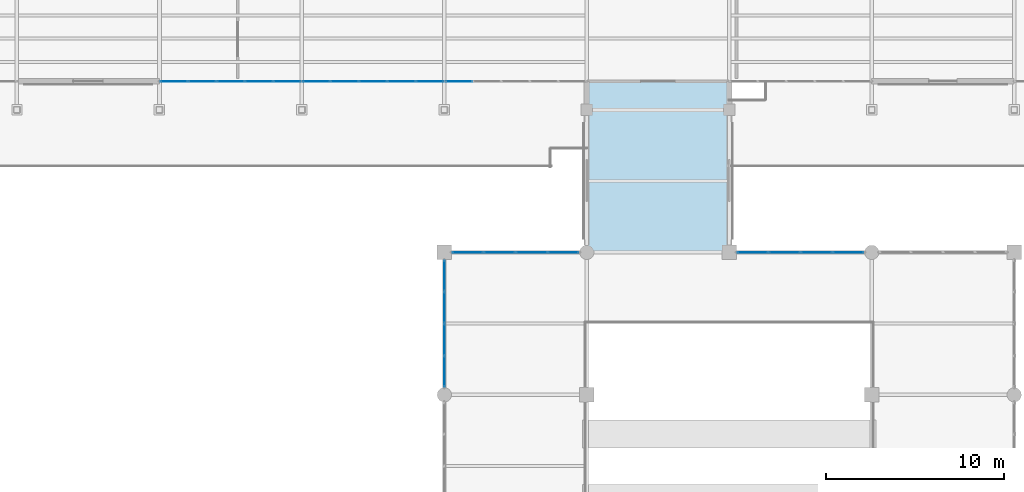
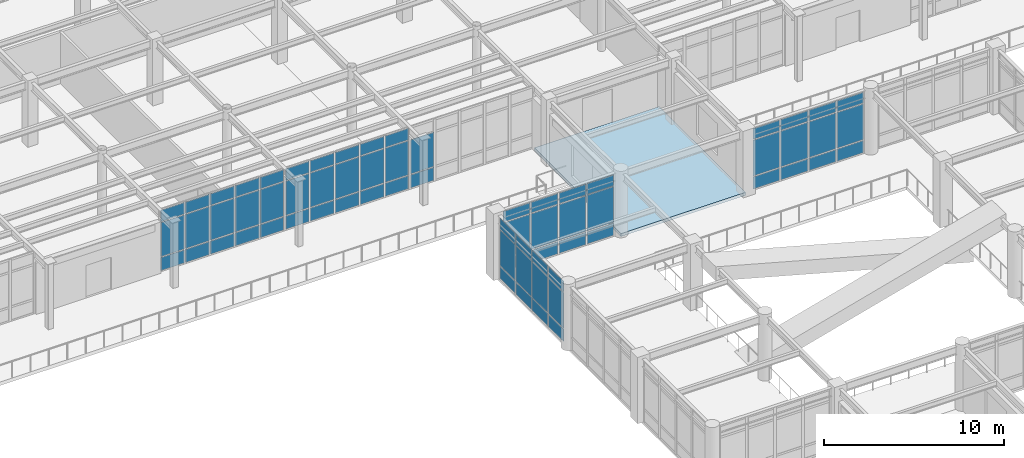
# One storey, part 77 of 111: 68 plates, 1 slab, 6 elements without a shape of their own.
"""IFC4 building model written with IfcOpenShell, lengths in metres."""

import ifcopenshell
import ifcopenshell.guid

model = None  # the IFC model being written
_history = None  # IfcOwnerHistory: only IFC2X3 demands one
_inside = {}  # id of a spatial element -> (the spatial element, [elements in it])
_under = {}  # id of a project, library or spatial element -> (it, [spatial elements below it])
_declared = {}  # id of a project -> (the project, [libraries it declares])
_typed = {}  # id of a type object -> (the type object, [elements of that type])
_made_of = {}  # id of a material, layer set ... -> (it, [elements and type objects made of it])


def new_model(schema):
    """Start an empty IFC model of exactly this schema.

    Asked for "IFC4X3", IfcOpenShell would pick the latest addendum, in which some entities
    have other attributes; the version numbers below select the first issue.
    IFC2X3 requires an IfcOwnerHistory on every rooted entity: one is made here for all.
    """
    global model, _history
    if schema == "IFC4X3":
        model = ifcopenshell.file(schema_version=(4, 3, 0, 0))
    else:
        model = ifcopenshell.file(schema=schema)
    _inside.clear()
    _under.clear()
    _declared.clear()
    _typed.clear()
    _made_of.clear()
    _history = None
    if model.schema == "IFC2X3":
        org = make("IfcOrganization", Name="unknown")
        user = make(
            "IfcPersonAndOrganization",
            ThePerson=make("IfcPerson", FamilyName="unknown"),
            TheOrganization=org,
        )
        app = make(
            "IfcApplication",
            ApplicationDeveloper=org,
            Version="unknown",
            ApplicationFullName="unknown",
            ApplicationIdentifier="unknown",
        )
        _history = make(
            "IfcOwnerHistory",
            OwningUser=user,
            OwningApplication=app,
            ChangeAction="ADDED",
            CreationDate=0,
        )
    return model


def make(cls, **values):
    """One entity of the class cls with the attributes given. An attribute that is None is left unset."""
    return model.create_entity(
        cls, **{name: value for name, value in values.items() if value is not None}
    )


def rooted(cls, **values):
    """An entity with a GlobalId (a new one), such as an element, a storey or a relation."""
    return make(cls, GlobalId=ifcopenshell.guid.new(), OwnerHistory=_history, **values)


def si_unit(unit_type, name, prefix=None):
    """IfcSIUnit, for example si_unit("LENGTHUNIT", "METRE", prefix="MILLI")."""
    return make("IfcSIUnit", UnitType=unit_type, Prefix=prefix, Name=name)


def assignment(units):
    """IfcUnitAssignment: the units of a project."""
    return None if units is None else make("IfcUnitAssignment", Units=units)


def point(xyz):
    """IfcCartesianPoint."""
    return None if xyz is None else make("IfcCartesianPoint", Coordinates=xyz)


def direction(xyz):
    """IfcDirection."""
    return None if xyz is None else make("IfcDirection", DirectionRatios=xyz)


def frame(location, z_axis=None, x_axis=None):
    """IfcAxis2Placement3D, a coordinate frame: its origin and axes. An axis left out is left unset."""
    return make(
        "IfcAxis2Placement3D",
        Location=point(location),
        Axis=direction(z_axis),
        RefDirection=direction(x_axis),
    )


def frame_2d(location, x_axis=None):
    """IfcAxis2Placement2D, a coordinate frame in the plane: its origin and x axis."""
    return make(
        "IfcAxis2Placement2D", Location=point(location), RefDirection=direction(x_axis)
    )


def origin():
    """The frame at (0, 0, 0) with its axes left unset."""
    return frame((0.0, 0.0, 0.0))


def origin_2d():
    """The frame at (0, 0) in the plane with its x axis left unset."""
    return frame_2d((0.0, 0.0))


def place(relative_to, where):
    """IfcLocalPlacement: puts the frame where relative to a parent placement (None: the world)."""
    return make(
        "IfcLocalPlacement", PlacementRelTo=relative_to, RelativePlacement=where
    )


def context(
    kind, dimensions, precision=None, world=None, true_north=None, identifier=None
):
    """IfcGeometricRepresentationContext, for example the 3D "Model" context."""
    return make(
        "IfcGeometricRepresentationContext",
        ContextIdentifier=identifier,
        ContextType=kind,
        CoordinateSpaceDimension=dimensions,
        Precision=precision,
        WorldCoordinateSystem=world,
        TrueNorth=true_north,
    )


def subcontext(parent, identifier, kind, view, scale=None):
    """IfcGeometricRepresentationSubContext, for example "Body" below "Model"."""
    return make(
        "IfcGeometricRepresentationSubContext",
        ContextIdentifier=identifier,
        ContextType=kind,
        ParentContext=parent,
        TargetScale=scale,
        TargetView=view,
    )


def project(units=None, contexts=None):
    """IfcProject with its units and contexts."""
    return rooted(
        "IfcProject",
        Name="project",
        RepresentationContexts=contexts,
        UnitsInContext=assignment(units),
    )


def spatial(cls, under=None, at=None, **own):
    """A site, building, storey or space (cls), placed at a placement, below another one or the project."""
    s = rooted(cls, ObjectPlacement=at, **own)
    if under is not None:
        _under.setdefault(under.id(), (under, []))[1].append(s)
    return s


def polyline(points):
    """IfcPolyline through the points."""
    return make("IfcPolyline", Points=[point(p) for p in points])


def profile(cls, at=None, kind="AREA", **sizes):
    """A parametric profile (cls). Its sizes go by their IFC names, for example OverallWidth=200.0."""
    return make(cls, ProfileType=kind, Position=at, **sizes)


def rectangle(**sizes):
    """IfcRectangleProfileDef."""
    return profile("IfcRectangleProfileDef", **sizes)


def outline(outer, holes=None, kind="AREA"):
    """IfcArbitraryClosedProfileDef: a profile drawn as a closed curve; with holes, ...WithVoids."""
    if holes is None:
        return make("IfcArbitraryClosedProfileDef", ProfileType=kind, OuterCurve=outer)
    return make(
        "IfcArbitraryProfileDefWithVoids",
        ProfileType=kind,
        OuterCurve=outer,
        InnerCurves=holes,
    )


def extrude(swept, where, along, depth):
    """IfcExtrudedAreaSolid: the profile swept, set in the frame where, extruded along a direction by depth."""
    return make(
        "IfcExtrudedAreaSolid",
        SweptArea=swept,
        Position=where,
        ExtrudedDirection=direction(along),
        Depth=depth,
    )


def shape(context_of_items, identifier, shape_type, items):
    """IfcShapeRepresentation: the items that make up one representation, for example the "Body"."""
    return make(
        "IfcShapeRepresentation",
        ContextOfItems=context_of_items,
        RepresentationIdentifier=identifier,
        RepresentationType=shape_type,
        Items=items,
    )


def material(Name=None, Category=None):
    """IfcMaterial."""
    return make("IfcMaterial", Name=Name, Category=Category)


def layer(
    of_material, thickness, ventilated=None, Name=None, Category=None, Priority=None
):
    """IfcMaterialLayer: one layer of a wall or slab, of a material (None: an air gap)."""
    return make(
        "IfcMaterialLayer",
        Material=of_material,
        LayerThickness=thickness,
        IsVentilated=ventilated,
        Name=Name,
        Category=Category,
        Priority=Priority,
    )


def layer_set(layers, Name=None):
    """IfcMaterialLayerSet."""
    return make("IfcMaterialLayerSet", MaterialLayers=layers, LayerSetName=Name)


def made_of(thing, what):
    """Note that an element or type object is made of a material, layer set ...; save() writes the relation."""
    if what is not None:
        _made_of.setdefault(what.id(), (what, []))[1].append(thing)
    return thing


def type_object(cls, material=None, **own):
    """A type object (cls), such as IfcWallType, which elements share."""
    return made_of(rooted(cls, **own), material)


def element(
    cls,
    number,
    at=None,
    inside=None,
    cuts=None,
    type_object=None,
    material=None,
    context=None,
    identifier="Body",
    shape_type=None,
    held_by="IfcProductDefinitionShape",
    body=None,
    shapes=None,
    **own,
):
    """One element of the class cls, such as IfcWall. Its Tag is "e" and its number.

    at: its placement. inside: the storey or other place that contains it. cuts: it is an
    opening in that element (IfcRelVoidsElement). A single representation is given by context,
    identifier, shape_type and body (its items); several are given by shapes. held_by: the class
    of the entity that holds the representations. save() writes the other relations.
    """
    e = rooted(cls, Tag="e%d" % number, ObjectPlacement=at, **own)
    if body is not None:
        shapes = [shape(context, identifier, shape_type, body)]
    if shapes is not None:
        e.Representation = make(held_by, Representations=shapes)
    if inside is not None:
        _inside.setdefault(inside.id(), (inside, []))[1].append(e)
    if cuts is not None:
        rooted(
            "IfcRelVoidsElement", RelatingBuildingElement=cuts, RelatedOpeningElement=e
        )
    if type_object is not None:
        _typed.setdefault(type_object.id(), (type_object, []))[1].append(e)
    return made_of(e, material)


def aggregate(whole, parts):
    """IfcRelAggregates: a whole, such as a stair, and the parts it consists of."""
    return rooted("IfcRelAggregates", RelatingObject=whole, RelatedObjects=parts)


def save(model, path):
    """Write the relations noted so far, then the file.

    IfcRelAggregates (storeys below a building ...), IfcRelContainedInSpatialStructure (elements
    in a storey), IfcRelDefinesByType, IfcRelAssociatesMaterial and IfcRelDeclares: one each for
    every whole, place, type object, material and project.
    """
    for whole, parts in _under.values():
        aggregate(whole, parts)
    for where, things in _inside.values():
        rooted(
            "IfcRelContainedInSpatialStructure",
            RelatedElements=things,
            RelatingStructure=where,
        )
    for kind, things in _typed.values():
        rooted("IfcRelDefinesByType", RelatedObjects=things, RelatingType=kind)
    for what, things in _made_of.values():
        rooted("IfcRelAssociatesMaterial", RelatedObjects=things, RelatingMaterial=what)
    for by, libraries in _declared.values():
        rooted("IfcRelDeclares", RelatingContext=by, RelatedDefinitions=libraries)
    model.write(path)


model = new_model("IFC4")

# Units and contexts
model_context = context("Model", 3, precision=1e-05, world=origin(), true_north=direction((0.0, 1.0)))
body_context = subcontext(model_context, "Body", "Model", "MODEL_VIEW")
ifc_project = project(units=[si_unit("LENGTHUNIT", "METRE"), si_unit("AREAUNIT", "SQUARE_METRE"), si_unit("VOLUMEUNIT", "CUBIC_METRE"), si_unit("PLANEANGLEUNIT", "RADIAN"), si_unit("MASSUNIT", "GRAM", prefix="KILO")], contexts=[model_context])

# Site, building, storey
site_placement = place(None, origin())
site = spatial("IfcSite", under=ifc_project, at=site_placement, CompositionType="ELEMENT")
building_placement = place(site_placement, origin())
building = spatial("IfcBuilding", under=site, at=building_placement, Name="Solmirada Galleria", CompositionType="ELEMENT")
storey_placement = place(building_placement, frame((0.0, 0.0, 10.39990234375)))
storey = spatial("IfcBuildingStorey", under=building, at=storey_placement, Name="L02", CompositionType="ELEMENT", Elevation=10.39990234375)

# Curtain wall, plates
ifc_material_1 = material(Name="Impact-resistant low-E double glazing", Category="glass")
curtain_wall_type_1 = type_object("IfcCurtainWallType", Name="CW-FZ3-L02-B4-L072", PredefinedType="NOTDEFINED", material=ifc_material_1)
curtain_wall_1_placement = place(storey_placement, origin())
curtain_wall_1 = element("IfcCurtainWall", 1, at=curtain_wall_1_placement, inside=storey, type_object=curtain_wall_type_1, Name="Terrace and arcade storefront CW-L02-086", PredefinedType="NOTDEFINED")
ifc_layer_1 = layer(ifc_material_1, 0.028076171875)
ifc_layer_set_1 = layer_set([ifc_layer_1], Name="Impact-resistant low-E double glazing")
plate_type_1 = type_object("IfcPlateType", Name="CW-PNL-CW21-T28", PredefinedType="CURTAIN_PANEL", material=ifc_layer_set_1)
plate_1_placement = place(storey_placement, frame((80.0, 65.31787109375, 0.06494140625), z_axis=(0.0, 0.0, 1.0), x_axis=(0.0, 1.0, 0.0)))
plate_1 = element("IfcPlate", 2, at=plate_1_placement, type_object=plate_type_1, Name="CW21 panel 1.1", PredefinedType="CURTAIN_PANEL", context=body_context, shape_type="SweptSolid", body=[
    extrude(rectangle(XDim=1.701416015625, YDim=0.028076171875, at=origin_2d()), origin(), (0.0, 0.0, 1.0), 0.822509765625),
])
plate_2_placement = place(storey_placement, frame((80.0, 65.31787109375, 0.95263671875), z_axis=(0.0, 0.0, 1.0), x_axis=(0.0, 1.0, 0.0)))
plate_2 = element("IfcPlate", 3, at=plate_2_placement, type_object=plate_type_1, Name="CW21 panel 1.2", PredefinedType="CURTAIN_PANEL", context=body_context, shape_type="SweptSolid", body=[
    extrude(rectangle(XDim=1.701416015625, YDim=0.028076171875, at=origin_2d()), origin(), (0.0, 0.0, 1.0), 2.4150390625),
])
plate_3_placement = place(storey_placement, frame((80.0, 65.31787109375, 3.4326171875), z_axis=(0.0, 0.0, 1.0), x_axis=(0.0, 1.0, 0.0)))
plate_3 = element("IfcPlate", 4, at=plate_3_placement, type_object=plate_type_1, Name="CW21 panel 1.3", PredefinedType="CURTAIN_PANEL", context=body_context, shape_type="SweptSolid", body=[
    extrude(rectangle(XDim=1.701416015625, YDim=0.028076171875, at=origin_2d()), origin(), (0.0, 0.0, 1.0), 0.722412109375),
])
plate_4_placement = place(storey_placement, frame((80.0, 67.1005859375, 0.06494140625), z_axis=(0.0, 0.0, 1.0), x_axis=(0.0, 1.0, 0.0)))
plate_4 = element("IfcPlate", 5, at=plate_4_placement, type_object=plate_type_1, Name="CW21 panel 2.1", PredefinedType="CURTAIN_PANEL", context=body_context, shape_type="SweptSolid", body=[
    extrude(rectangle(XDim=1.73388671875, YDim=0.028076171875, at=origin_2d()), origin(), (0.0, 0.0, 1.0), 0.822509765625),
])
plate_5_placement = place(storey_placement, frame((80.0, 67.1005859375, 0.95263671875), z_axis=(0.0, 0.0, 1.0), x_axis=(0.0, 1.0, 0.0)))
plate_5 = element("IfcPlate", 6, at=plate_5_placement, type_object=plate_type_1, Name="CW21 panel 2.2", PredefinedType="CURTAIN_PANEL", context=body_context, shape_type="SweptSolid", body=[
    extrude(rectangle(XDim=1.73388671875, YDim=0.028076171875, at=origin_2d()), origin(), (0.0, 0.0, 1.0), 2.4150390625),
])
plate_6_placement = place(storey_placement, frame((80.0, 67.1005859375, 3.4326171875), z_axis=(0.0, 0.0, 1.0), x_axis=(0.0, 1.0, 0.0)))
plate_6 = element("IfcPlate", 7, at=plate_6_placement, type_object=plate_type_1, Name="CW21 panel 2.3", PredefinedType="CURTAIN_PANEL", context=body_context, shape_type="SweptSolid", body=[
    extrude(rectangle(XDim=1.73388671875, YDim=0.028076171875, at=origin_2d()), origin(), (0.0, 0.0, 1.0), 0.722412109375),
])
plate_7_placement = place(storey_placement, frame((80.0, 68.8994140625, 0.06494140625), z_axis=(0.0, 0.0, 1.0), x_axis=(0.0, 1.0, 0.0)))
plate_7 = element("IfcPlate", 8, at=plate_7_placement, type_object=plate_type_1, Name="CW21 panel 3.1", PredefinedType="CURTAIN_PANEL", context=body_context, shape_type="SweptSolid", body=[
    extrude(rectangle(XDim=1.73388671875, YDim=0.028076171875, at=origin_2d()), origin(), (0.0, 0.0, 1.0), 0.822509765625),
])
plate_8_placement = place(storey_placement, frame((80.0, 68.8994140625, 0.95263671875), z_axis=(0.0, 0.0, 1.0), x_axis=(0.0, 1.0, 0.0)))
plate_8 = element("IfcPlate", 9, at=plate_8_placement, type_object=plate_type_1, Name="CW21 panel 3.2", PredefinedType="CURTAIN_PANEL", context=body_context, shape_type="SweptSolid", body=[
    extrude(rectangle(XDim=1.73388671875, YDim=0.028076171875, at=origin_2d()), origin(), (0.0, 0.0, 1.0), 2.4150390625),
])
plate_9_placement = place(storey_placement, frame((80.0, 68.8994140625, 3.4326171875), z_axis=(0.0, 0.0, 1.0), x_axis=(0.0, 1.0, 0.0)))
plate_9 = element("IfcPlate", 10, at=plate_9_placement, type_object=plate_type_1, Name="CW21 panel 3.3", PredefinedType="CURTAIN_PANEL", context=body_context, shape_type="SweptSolid", body=[
    extrude(rectangle(XDim=1.73388671875, YDim=0.028076171875, at=origin_2d()), origin(), (0.0, 0.0, 1.0), 0.722412109375),
])
plate_10_placement = place(storey_placement, frame((80.0, 70.68212890625, 0.06494140625), z_axis=(0.0, 0.0, 1.0), x_axis=(0.0, 1.0, 0.0)))
plate_10 = element("IfcPlate", 11, at=plate_10_placement, type_object=plate_type_1, Name="CW21 panel 4.1", PredefinedType="CURTAIN_PANEL", context=body_context, shape_type="SweptSolid", body=[
    extrude(rectangle(XDim=1.701416015625, YDim=0.028076171875, at=origin_2d()), origin(), (0.0, 0.0, 1.0), 0.822509765625),
])
plate_11_placement = place(storey_placement, frame((80.0, 70.68212890625, 0.95263671875), z_axis=(0.0, 0.0, 1.0), x_axis=(0.0, 1.0, 0.0)))
plate_11 = element("IfcPlate", 12, at=plate_11_placement, type_object=plate_type_1, Name="CW21 panel 4.2", PredefinedType="CURTAIN_PANEL", context=body_context, shape_type="SweptSolid", body=[
    extrude(rectangle(XDim=1.701416015625, YDim=0.028076171875, at=origin_2d()), origin(), (0.0, 0.0, 1.0), 2.4150390625),
])
plate_12_placement = place(storey_placement, frame((80.0, 70.68212890625, 3.4326171875), z_axis=(0.0, 0.0, 1.0), x_axis=(0.0, 1.0, 0.0)))
plate_12 = element("IfcPlate", 13, at=plate_12_placement, type_object=plate_type_1, Name="CW21 panel 4.3", PredefinedType="CURTAIN_PANEL", context=body_context, shape_type="SweptSolid", body=[
    extrude(rectangle(XDim=1.701416015625, YDim=0.028076171875, at=origin_2d()), origin(), (0.0, 0.0, 1.0), 0.722412109375),
])
aggregate(curtain_wall_1, [plate_1, plate_2, plate_3, plate_4, plate_5, plate_6, plate_7, plate_8, plate_9, plate_10, plate_11, plate_12])

curtain_wall_2_placement = place(storey_placement, origin())
curtain_wall_2 = element("IfcCurtainWall", 14, at=curtain_wall_2_placement, inside=storey, type_object=curtain_wall_type_1, Name="Terrace and arcade storefront CW-L02-087", PredefinedType="NOTDEFINED")
plate_13_placement = place(storey_placement, frame((81.31787109375, 72.0, 0.06494140625), z_axis=(0.0, 0.0, 1.0), x_axis=(1.0, 0.0, 0.0)))
plate_13 = element("IfcPlate", 15, at=plate_13_placement, type_object=plate_type_1, Name="CW21 panel 1.1", PredefinedType="CURTAIN_PANEL", context=body_context, shape_type="SweptSolid", body=[
    extrude(rectangle(XDim=1.701416015625, YDim=0.028076171875, at=origin_2d()), origin(), (0.0, 0.0, 1.0), 0.822509765625),
])
plate_14_placement = place(storey_placement, frame((81.31787109375, 72.0, 0.95263671875), z_axis=(0.0, 0.0, 1.0), x_axis=(1.0, 0.0, 0.0)))
plate_14 = element("IfcPlate", 16, at=plate_14_placement, type_object=plate_type_1, Name="CW21 panel 1.2", PredefinedType="CURTAIN_PANEL", context=body_context, shape_type="SweptSolid", body=[
    extrude(rectangle(XDim=1.701416015625, YDim=0.028076171875, at=origin_2d()), origin(), (0.0, 0.0, 1.0), 2.4150390625),
])
plate_15_placement = place(storey_placement, frame((81.31787109375, 72.0, 3.4326171875), z_axis=(0.0, 0.0, 1.0), x_axis=(1.0, 0.0, 0.0)))
plate_15 = element("IfcPlate", 17, at=plate_15_placement, type_object=plate_type_1, Name="CW21 panel 1.3", PredefinedType="CURTAIN_PANEL", context=body_context, shape_type="SweptSolid", body=[
    extrude(rectangle(XDim=1.701416015625, YDim=0.028076171875, at=origin_2d()), origin(), (0.0, 0.0, 1.0), 0.722412109375),
])
plate_16_placement = place(storey_placement, frame((83.1005859375, 72.0, 0.06494140625), z_axis=(0.0, 0.0, 1.0), x_axis=(1.0, 0.0, 0.0)))
plate_16 = element("IfcPlate", 18, at=plate_16_placement, type_object=plate_type_1, Name="CW21 panel 2.1", PredefinedType="CURTAIN_PANEL", context=body_context, shape_type="SweptSolid", body=[
    extrude(rectangle(XDim=1.73388671875, YDim=0.028076171875, at=origin_2d()), origin(), (0.0, 0.0, 1.0), 0.822509765625),
])
plate_17_placement = place(storey_placement, frame((83.1005859375, 72.0, 0.95263671875), z_axis=(0.0, 0.0, 1.0), x_axis=(1.0, 0.0, 0.0)))
plate_17 = element("IfcPlate", 19, at=plate_17_placement, type_object=plate_type_1, Name="CW21 panel 2.2", PredefinedType="CURTAIN_PANEL", context=body_context, shape_type="SweptSolid", body=[
    extrude(rectangle(XDim=1.73388671875, YDim=0.028076171875, at=origin_2d()), origin(), (0.0, 0.0, 1.0), 2.4150390625),
])
plate_18_placement = place(storey_placement, frame((83.1005859375, 72.0, 3.4326171875), z_axis=(0.0, 0.0, 1.0), x_axis=(1.0, 0.0, 0.0)))
plate_18 = element("IfcPlate", 20, at=plate_18_placement, type_object=plate_type_1, Name="CW21 panel 2.3", PredefinedType="CURTAIN_PANEL", context=body_context, shape_type="SweptSolid", body=[
    extrude(rectangle(XDim=1.73388671875, YDim=0.028076171875, at=origin_2d()), origin(), (0.0, 0.0, 1.0), 0.722412109375),
])
plate_19_placement = place(storey_placement, frame((84.8994140625, 72.0, 0.06494140625), z_axis=(0.0, 0.0, 1.0), x_axis=(1.0, 0.0, 0.0)))
plate_19 = element("IfcPlate", 21, at=plate_19_placement, type_object=plate_type_1, Name="CW21 panel 3.1", PredefinedType="CURTAIN_PANEL", context=body_context, shape_type="SweptSolid", body=[
    extrude(rectangle(XDim=1.73388671875, YDim=0.028076171875, at=origin_2d()), origin(), (0.0, 0.0, 1.0), 0.822509765625),
])
plate_20_placement = place(storey_placement, frame((84.8994140625, 72.0, 0.95263671875), z_axis=(0.0, 0.0, 1.0), x_axis=(1.0, 0.0, 0.0)))
plate_20 = element("IfcPlate", 22, at=plate_20_placement, type_object=plate_type_1, Name="CW21 panel 3.2", PredefinedType="CURTAIN_PANEL", context=body_context, shape_type="SweptSolid", body=[
    extrude(rectangle(XDim=1.73388671875, YDim=0.028076171875, at=origin_2d()), origin(), (0.0, 0.0, 1.0), 2.4150390625),
])
plate_21_placement = place(storey_placement, frame((84.8994140625, 72.0, 3.4326171875), z_axis=(0.0, 0.0, 1.0), x_axis=(1.0, 0.0, 0.0)))
plate_21 = element("IfcPlate", 23, at=plate_21_placement, type_object=plate_type_1, Name="CW21 panel 3.3", PredefinedType="CURTAIN_PANEL", context=body_context, shape_type="SweptSolid", body=[
    extrude(rectangle(XDim=1.73388671875, YDim=0.028076171875, at=origin_2d()), origin(), (0.0, 0.0, 1.0), 0.722412109375),
])
plate_22_placement = place(storey_placement, frame((86.68212890625, 72.0, 0.06494140625), z_axis=(0.0, 0.0, 1.0), x_axis=(1.0, 0.0, 0.0)))
plate_22 = element("IfcPlate", 24, at=plate_22_placement, type_object=plate_type_1, Name="CW21 panel 4.1", PredefinedType="CURTAIN_PANEL", context=body_context, shape_type="SweptSolid", body=[
    extrude(rectangle(XDim=1.701416015625, YDim=0.028076171875, at=origin_2d()), origin(), (0.0, 0.0, 1.0), 0.822509765625),
])
plate_23_placement = place(storey_placement, frame((86.68212890625, 72.0, 0.95263671875), z_axis=(0.0, 0.0, 1.0), x_axis=(1.0, 0.0, 0.0)))
plate_23 = element("IfcPlate", 25, at=plate_23_placement, type_object=plate_type_1, Name="CW21 panel 4.2", PredefinedType="CURTAIN_PANEL", context=body_context, shape_type="SweptSolid", body=[
    extrude(rectangle(XDim=1.701416015625, YDim=0.028076171875, at=origin_2d()), origin(), (0.0, 0.0, 1.0), 2.4150390625),
])
plate_24_placement = place(storey_placement, frame((86.68212890625, 72.0, 3.4326171875), z_axis=(0.0, 0.0, 1.0), x_axis=(1.0, 0.0, 0.0)))
plate_24 = element("IfcPlate", 26, at=plate_24_placement, type_object=plate_type_1, Name="CW21 panel 4.3", PredefinedType="CURTAIN_PANEL", context=body_context, shape_type="SweptSolid", body=[
    extrude(rectangle(XDim=1.701416015625, YDim=0.028076171875, at=origin_2d()), origin(), (0.0, 0.0, 1.0), 0.722412109375),
])
aggregate(curtain_wall_2, [plate_13, plate_14, plate_15, plate_16, plate_17, plate_18, plate_19, plate_20, plate_21, plate_22, plate_23, plate_24])

curtain_wall_3_placement = place(storey_placement, origin())
curtain_wall_3 = element("IfcCurtainWall", 27, at=curtain_wall_3_placement, inside=storey, type_object=curtain_wall_type_1, Name="Terrace and arcade storefront CW-L02-104", PredefinedType="NOTDEFINED")
plate_25_placement = place(storey_placement, frame((97.31787109375, 72.0, 0.06494140625), z_axis=(0.0, 0.0, 1.0), x_axis=(1.0, 0.0, 0.0)))
plate_25 = element("IfcPlate", 28, at=plate_25_placement, type_object=plate_type_1, Name="CW21 panel 1.1", PredefinedType="CURTAIN_PANEL", context=body_context, shape_type="SweptSolid", body=[
    extrude(rectangle(XDim=1.701416015625, YDim=0.028076171875, at=origin_2d()), origin(), (0.0, 0.0, 1.0), 0.822509765625),
])
plate_26_placement = place(storey_placement, frame((97.31787109375, 72.0, 0.95263671875), z_axis=(0.0, 0.0, 1.0), x_axis=(1.0, 0.0, 0.0)))
plate_26 = element("IfcPlate", 29, at=plate_26_placement, type_object=plate_type_1, Name="CW21 panel 1.2", PredefinedType="CURTAIN_PANEL", context=body_context, shape_type="SweptSolid", body=[
    extrude(rectangle(XDim=1.701416015625, YDim=0.028076171875, at=origin_2d()), origin(), (0.0, 0.0, 1.0), 2.4150390625),
])
plate_27_placement = place(storey_placement, frame((97.31787109375, 72.0, 3.4326171875), z_axis=(0.0, 0.0, 1.0), x_axis=(1.0, 0.0, 0.0)))
plate_27 = element("IfcPlate", 30, at=plate_27_placement, type_object=plate_type_1, Name="CW21 panel 1.3", PredefinedType="CURTAIN_PANEL", context=body_context, shape_type="SweptSolid", body=[
    extrude(rectangle(XDim=1.701416015625, YDim=0.028076171875, at=origin_2d()), origin(), (0.0, 0.0, 1.0), 0.722412109375),
])
plate_28_placement = place(storey_placement, frame((99.1005859375, 72.0, 0.06494140625), z_axis=(0.0, 0.0, 1.0), x_axis=(1.0, 0.0, 0.0)))
plate_28 = element("IfcPlate", 31, at=plate_28_placement, type_object=plate_type_1, Name="CW21 panel 2.1", PredefinedType="CURTAIN_PANEL", context=body_context, shape_type="SweptSolid", body=[
    extrude(rectangle(XDim=1.73388671875, YDim=0.028076171875, at=origin_2d()), origin(), (0.0, 0.0, 1.0), 0.822509765625),
])
plate_29_placement = place(storey_placement, frame((99.1005859375, 72.0, 0.95263671875), z_axis=(0.0, 0.0, 1.0), x_axis=(1.0, 0.0, 0.0)))
plate_29 = element("IfcPlate", 32, at=plate_29_placement, type_object=plate_type_1, Name="CW21 panel 2.2", PredefinedType="CURTAIN_PANEL", context=body_context, shape_type="SweptSolid", body=[
    extrude(rectangle(XDim=1.73388671875, YDim=0.028076171875, at=origin_2d()), origin(), (0.0, 0.0, 1.0), 2.4150390625),
])
plate_30_placement = place(storey_placement, frame((99.1005859375, 72.0, 3.4326171875), z_axis=(0.0, 0.0, 1.0), x_axis=(1.0, 0.0, 0.0)))
plate_30 = element("IfcPlate", 33, at=plate_30_placement, type_object=plate_type_1, Name="CW21 panel 2.3", PredefinedType="CURTAIN_PANEL", context=body_context, shape_type="SweptSolid", body=[
    extrude(rectangle(XDim=1.73388671875, YDim=0.028076171875, at=origin_2d()), origin(), (0.0, 0.0, 1.0), 0.722412109375),
])
plate_31_placement = place(storey_placement, frame((100.8994140625, 72.0, 0.06494140625), z_axis=(0.0, 0.0, 1.0), x_axis=(1.0, 0.0, 0.0)))
plate_31 = element("IfcPlate", 34, at=plate_31_placement, type_object=plate_type_1, Name="CW21 panel 3.1", PredefinedType="CURTAIN_PANEL", context=body_context, shape_type="SweptSolid", body=[
    extrude(rectangle(XDim=1.73388671875, YDim=0.028076171875, at=origin_2d()), origin(), (0.0, 0.0, 1.0), 0.822509765625),
])
plate_32_placement = place(storey_placement, frame((100.8994140625, 72.0, 0.95263671875), z_axis=(0.0, 0.0, 1.0), x_axis=(1.0, 0.0, 0.0)))
plate_32 = element("IfcPlate", 35, at=plate_32_placement, type_object=plate_type_1, Name="CW21 panel 3.2", PredefinedType="CURTAIN_PANEL", context=body_context, shape_type="SweptSolid", body=[
    extrude(rectangle(XDim=1.73388671875, YDim=0.028076171875, at=origin_2d()), origin(), (0.0, 0.0, 1.0), 2.4150390625),
])
plate_33_placement = place(storey_placement, frame((100.8994140625, 72.0, 3.4326171875), z_axis=(0.0, 0.0, 1.0), x_axis=(1.0, 0.0, 0.0)))
plate_33 = element("IfcPlate", 36, at=plate_33_placement, type_object=plate_type_1, Name="CW21 panel 3.3", PredefinedType="CURTAIN_PANEL", context=body_context, shape_type="SweptSolid", body=[
    extrude(rectangle(XDim=1.73388671875, YDim=0.028076171875, at=origin_2d()), origin(), (0.0, 0.0, 1.0), 0.722412109375),
])
plate_34_placement = place(storey_placement, frame((102.68212890625, 72.0, 0.06494140625), z_axis=(0.0, 0.0, 1.0), x_axis=(1.0, 0.0, 0.0)))
plate_34 = element("IfcPlate", 37, at=plate_34_placement, type_object=plate_type_1, Name="CW21 panel 4.1", PredefinedType="CURTAIN_PANEL", context=body_context, shape_type="SweptSolid", body=[
    extrude(rectangle(XDim=1.701416015625, YDim=0.028076171875, at=origin_2d()), origin(), (0.0, 0.0, 1.0), 0.822509765625),
])
plate_35_placement = place(storey_placement, frame((102.68212890625, 72.0, 0.95263671875), z_axis=(0.0, 0.0, 1.0), x_axis=(1.0, 0.0, 0.0)))
plate_35 = element("IfcPlate", 38, at=plate_35_placement, type_object=plate_type_1, Name="CW21 panel 4.2", PredefinedType="CURTAIN_PANEL", context=body_context, shape_type="SweptSolid", body=[
    extrude(rectangle(XDim=1.701416015625, YDim=0.028076171875, at=origin_2d()), origin(), (0.0, 0.0, 1.0), 2.4150390625),
])
plate_36_placement = place(storey_placement, frame((102.68212890625, 72.0, 3.4326171875), z_axis=(0.0, 0.0, 1.0), x_axis=(1.0, 0.0, 0.0)))
plate_36 = element("IfcPlate", 39, at=plate_36_placement, type_object=plate_type_1, Name="CW21 panel 4.3", PredefinedType="CURTAIN_PANEL", context=body_context, shape_type="SweptSolid", body=[
    extrude(rectangle(XDim=1.701416015625, YDim=0.028076171875, at=origin_2d()), origin(), (0.0, 0.0, 1.0), 0.722412109375),
])
aggregate(curtain_wall_3, [plate_25, plate_26, plate_27, plate_28, plate_29, plate_30, plate_31, plate_32, plate_33, plate_34, plate_35, plate_36])

curtain_wall_type_2 = type_object("IfcCurtainWallType", Name="CW-FZ4-L02-B5-L080", PredefinedType="NOTDEFINED", material=ifc_material_1)
curtain_wall_4_placement = place(storey_placement, origin())
curtain_wall_4 = element("IfcCurtainWall", 40, at=curtain_wall_4_placement, inside=storey, type_object=curtain_wall_type_2, Name="Terrace and arcade storefront CW-L02-088", PredefinedType="NOTDEFINED")
ifc_material_2 = material(Name="Ceramic-fritted spandrel glass", Category="glass")
ifc_layer_2 = layer(ifc_material_2, 0.035888671875)
ifc_layer_set_2 = layer_set([ifc_layer_2], Name="Ceramic-fritted spandrel glass")
plate_type_2 = type_object("IfcPlateType", Name="CW-PNL-CW22-T36", PredefinedType="CURTAIN_PANEL", material=ifc_layer_set_2)
plate_37_placement = place(storey_placement, frame((80.816162109375, 81.60009765625, 0.06494140625), z_axis=(0.0, 0.0, 1.0), x_axis=(-1.0, 0.0, 0.0)))
plate_37 = element("IfcPlate", 41, at=plate_37_placement, type_object=plate_type_2, Name="CW22 panel 5.1", PredefinedType="CURTAIN_PANEL", context=body_context, shape_type="SweptSolid", body=[
    extrude(rectangle(XDim=1.50244140625, YDim=0.035888671875, at=origin_2d()), origin(), (0.0, 0.0, 1.0), 0.882568359375),
])
plate_38_placement = place(storey_placement, frame((80.816162109375, 81.60009765625, 1.0126953125), z_axis=(0.0, 0.0, 1.0), x_axis=(-1.0, 0.0, 0.0)))
plate_38 = element("IfcPlate", 42, at=plate_38_placement, type_object=plate_type_2, Name="CW22 panel 5.2", PredefinedType="CURTAIN_PANEL", context=body_context, shape_type="SweptSolid", body=[
    extrude(rectangle(XDim=1.50244140625, YDim=0.035888671875, at=origin_2d()), origin(), (0.0, 0.0, 1.0), 2.304931640625),
])
aggregate(curtain_wall_4, [plate_37, plate_38])

curtain_wall_5_placement = place(storey_placement, origin())
curtain_wall_5 = element("IfcCurtainWall", 43, at=curtain_wall_5_placement, inside=storey, type_object=curtain_wall_type_2, Name="Terrace and arcade storefront CW-L02-089", PredefinedType="NOTDEFINED")
plate_39_placement = place(storey_placement, frame((79.183837890625, 81.60009765625, 0.06494140625), z_axis=(0.0, 0.0, 1.0), x_axis=(-1.0, 0.0, 0.0)))
plate_39 = element("IfcPlate", 44, at=plate_39_placement, type_object=plate_type_2, Name="CW22 panel 1.1", PredefinedType="CURTAIN_PANEL", context=body_context, shape_type="SweptSolid", body=[
    extrude(rectangle(XDim=1.50244140625, YDim=0.035888671875, at=origin_2d()), origin(), (0.0, 0.0, 1.0), 0.882568359375),
])
plate_40_placement = place(storey_placement, frame((79.183837890625, 81.60009765625, 1.0126953125), z_axis=(0.0, 0.0, 1.0), x_axis=(-1.0, 0.0, 0.0)))
plate_40 = element("IfcPlate", 45, at=plate_40_placement, type_object=plate_type_2, Name="CW22 panel 1.2", PredefinedType="CURTAIN_PANEL", context=body_context, shape_type="SweptSolid", body=[
    extrude(rectangle(XDim=1.50244140625, YDim=0.035888671875, at=origin_2d()), origin(), (0.0, 0.0, 1.0), 2.304931640625),
])
plate_41_placement = place(storey_placement, frame((79.183837890625, 81.60009765625, 3.382568359375), z_axis=(0.0, 0.0, 1.0), x_axis=(-1.0, 0.0, 0.0)))
plate_41 = element("IfcPlate", 46, at=plate_41_placement, type_object=plate_type_2, Name="CW22 panel 1.3", PredefinedType="CURTAIN_PANEL", context=body_context, shape_type="SweptSolid", body=[
    extrude(rectangle(XDim=1.50244140625, YDim=0.035888671875, at=origin_2d()), origin(), (0.0, 0.0, 1.0), 0.7724609375),
])
plate_42_placement = place(storey_placement, frame((77.60009765625, 81.60009765625, 0.06494140625), z_axis=(0.0, 0.0, 1.0), x_axis=(-1.0, 0.0, 0.0)))
plate_42 = element("IfcPlate", 47, at=plate_42_placement, type_object=plate_type_2, Name="CW22 panel 2.1", PredefinedType="CURTAIN_PANEL", context=body_context, shape_type="SweptSolid", body=[
    extrude(rectangle(XDim=1.534912109375, YDim=0.035888671875, at=origin_2d()), origin(), (0.0, 0.0, 1.0), 0.882568359375),
])
plate_43_placement = place(storey_placement, frame((77.60009765625, 81.60009765625, 1.0126953125), z_axis=(0.0, 0.0, 1.0), x_axis=(-1.0, 0.0, 0.0)))
plate_43 = element("IfcPlate", 48, at=plate_43_placement, type_object=plate_type_2, Name="CW22 panel 2.2", PredefinedType="CURTAIN_PANEL", context=body_context, shape_type="SweptSolid", body=[
    extrude(rectangle(XDim=1.534912109375, YDim=0.035888671875, at=origin_2d()), origin(), (0.0, 0.0, 1.0), 2.304931640625),
])
plate_44_placement = place(storey_placement, frame((77.60009765625, 81.60009765625, 3.382568359375), z_axis=(0.0, 0.0, 1.0), x_axis=(-1.0, 0.0, 0.0)))
plate_44 = element("IfcPlate", 49, at=plate_44_placement, type_object=plate_type_2, Name="CW22 panel 2.3", PredefinedType="CURTAIN_PANEL", context=body_context, shape_type="SweptSolid", body=[
    extrude(rectangle(XDim=1.534912109375, YDim=0.035888671875, at=origin_2d()), origin(), (0.0, 0.0, 1.0), 0.7724609375),
])
plate_45_placement = place(storey_placement, frame((76.0, 81.60009765625, 0.06494140625), z_axis=(0.0, 0.0, 1.0), x_axis=(-1.0, 0.0, 0.0)))
plate_45 = element("IfcPlate", 50, at=plate_45_placement, type_object=plate_type_2, Name="CW22 panel 3.1", PredefinedType="CURTAIN_PANEL", context=body_context, shape_type="SweptSolid", body=[
    extrude(rectangle(XDim=1.534912109375, YDim=0.035888671875, at=origin_2d()), origin(), (0.0, 0.0, 1.0), 0.882568359375),
])
plate_46_placement = place(storey_placement, frame((76.0, 81.60009765625, 1.0126953125), z_axis=(0.0, 0.0, 1.0), x_axis=(-1.0, 0.0, 0.0)))
plate_46 = element("IfcPlate", 51, at=plate_46_placement, type_object=plate_type_2, Name="CW22 panel 3.2", PredefinedType="CURTAIN_PANEL", context=body_context, shape_type="SweptSolid", body=[
    extrude(rectangle(XDim=1.534912109375, YDim=0.035888671875, at=origin_2d()), origin(), (0.0, 0.0, 1.0), 2.304931640625),
])
plate_47_placement = place(storey_placement, frame((76.0, 81.60009765625, 3.382568359375), z_axis=(0.0, 0.0, 1.0), x_axis=(-1.0, 0.0, 0.0)))
plate_47 = element("IfcPlate", 52, at=plate_47_placement, type_object=plate_type_2, Name="CW22 panel 3.3", PredefinedType="CURTAIN_PANEL", context=body_context, shape_type="SweptSolid", body=[
    extrude(rectangle(XDim=1.534912109375, YDim=0.035888671875, at=origin_2d()), origin(), (0.0, 0.0, 1.0), 0.7724609375),
])
plate_48_placement = place(storey_placement, frame((74.39990234375, 81.60009765625, 0.06494140625), z_axis=(0.0, 0.0, 1.0), x_axis=(-1.0, 0.0, 0.0)))
plate_48 = element("IfcPlate", 53, at=plate_48_placement, type_object=plate_type_2, Name="CW22 panel 4.1", PredefinedType="CURTAIN_PANEL", context=body_context, shape_type="SweptSolid", body=[
    extrude(rectangle(XDim=1.534912109375, YDim=0.035888671875, at=origin_2d()), origin(), (0.0, 0.0, 1.0), 0.882568359375),
])
plate_49_placement = place(storey_placement, frame((74.39990234375, 81.60009765625, 1.0126953125), z_axis=(0.0, 0.0, 1.0), x_axis=(-1.0, 0.0, 0.0)))
plate_49 = element("IfcPlate", 54, at=plate_49_placement, type_object=plate_type_2, Name="CW22 panel 4.2", PredefinedType="CURTAIN_PANEL", context=body_context, shape_type="SweptSolid", body=[
    extrude(rectangle(XDim=1.534912109375, YDim=0.035888671875, at=origin_2d()), origin(), (0.0, 0.0, 1.0), 2.304931640625),
])
plate_50_placement = place(storey_placement, frame((74.39990234375, 81.60009765625, 3.382568359375), z_axis=(0.0, 0.0, 1.0), x_axis=(-1.0, 0.0, 0.0)))
plate_50 = element("IfcPlate", 55, at=plate_50_placement, type_object=plate_type_2, Name="CW22 panel 4.3", PredefinedType="CURTAIN_PANEL", context=body_context, shape_type="SweptSolid", body=[
    extrude(rectangle(XDim=1.534912109375, YDim=0.035888671875, at=origin_2d()), origin(), (0.0, 0.0, 1.0), 0.7724609375),
])
plate_51_placement = place(storey_placement, frame((72.816162109375, 81.60009765625, 0.06494140625), z_axis=(0.0, 0.0, 1.0), x_axis=(-1.0, 0.0, 0.0)))
plate_51 = element("IfcPlate", 56, at=plate_51_placement, type_object=plate_type_2, Name="CW22 panel 5.1", PredefinedType="CURTAIN_PANEL", context=body_context, shape_type="SweptSolid", body=[
    extrude(rectangle(XDim=1.50244140625, YDim=0.035888671875, at=origin_2d()), origin(), (0.0, 0.0, 1.0), 0.882568359375),
])
plate_52_placement = place(storey_placement, frame((72.816162109375, 81.60009765625, 1.0126953125), z_axis=(0.0, 0.0, 1.0), x_axis=(-1.0, 0.0, 0.0)))
plate_52 = element("IfcPlate", 57, at=plate_52_placement, type_object=plate_type_2, Name="CW22 panel 5.2", PredefinedType="CURTAIN_PANEL", context=body_context, shape_type="SweptSolid", body=[
    extrude(rectangle(XDim=1.50244140625, YDim=0.035888671875, at=origin_2d()), origin(), (0.0, 0.0, 1.0), 2.304931640625),
])
plate_53_placement = place(storey_placement, frame((72.816162109375, 81.60009765625, 3.382568359375), z_axis=(0.0, 0.0, 1.0), x_axis=(-1.0, 0.0, 0.0)))
plate_53 = element("IfcPlate", 58, at=plate_53_placement, type_object=plate_type_2, Name="CW22 panel 5.3", PredefinedType="CURTAIN_PANEL", context=body_context, shape_type="SweptSolid", body=[
    extrude(rectangle(XDim=1.50244140625, YDim=0.035888671875, at=origin_2d()), origin(), (0.0, 0.0, 1.0), 0.7724609375),
])
aggregate(curtain_wall_5, [plate_39, plate_40, plate_41, plate_42, plate_43, plate_44, plate_45, plate_46, plate_47, plate_48, plate_49, plate_50, plate_51, plate_52, plate_53])

curtain_wall_6_placement = place(storey_placement, origin())
curtain_wall_6 = element("IfcCurtainWall", 59, at=curtain_wall_6_placement, inside=storey, type_object=curtain_wall_type_2, Name="Terrace and arcade storefront CW-L02-090", PredefinedType="NOTDEFINED")
plate_54_placement = place(storey_placement, frame((71.183837890625, 81.60009765625, 0.06494140625), z_axis=(0.0, 0.0, 1.0), x_axis=(-1.0, 0.0, 0.0)))
plate_54 = element("IfcPlate", 60, at=plate_54_placement, type_object=plate_type_2, Name="CW22 panel 1.1", PredefinedType="CURTAIN_PANEL", context=body_context, shape_type="SweptSolid", body=[
    extrude(rectangle(XDim=1.50244140625, YDim=0.035888671875, at=origin_2d()), origin(), (0.0, 0.0, 1.0), 0.882568359375),
])
plate_55_placement = place(storey_placement, frame((71.183837890625, 81.60009765625, 1.0126953125), z_axis=(0.0, 0.0, 1.0), x_axis=(-1.0, 0.0, 0.0)))
plate_55 = element("IfcPlate", 61, at=plate_55_placement, type_object=plate_type_2, Name="CW22 panel 1.2", PredefinedType="CURTAIN_PANEL", context=body_context, shape_type="SweptSolid", body=[
    extrude(rectangle(XDim=1.50244140625, YDim=0.035888671875, at=origin_2d()), origin(), (0.0, 0.0, 1.0), 2.304931640625),
])
plate_56_placement = place(storey_placement, frame((71.183837890625, 81.60009765625, 3.382568359375), z_axis=(0.0, 0.0, 1.0), x_axis=(-1.0, 0.0, 0.0)))
plate_56 = element("IfcPlate", 62, at=plate_56_placement, type_object=plate_type_2, Name="CW22 panel 1.3", PredefinedType="CURTAIN_PANEL", context=body_context, shape_type="SweptSolid", body=[
    extrude(rectangle(XDim=1.50244140625, YDim=0.035888671875, at=origin_2d()), origin(), (0.0, 0.0, 1.0), 0.7724609375),
])
plate_57_placement = place(storey_placement, frame((69.60009765625, 81.60009765625, 0.06494140625), z_axis=(0.0, 0.0, 1.0), x_axis=(-1.0, 0.0, 0.0)))
plate_57 = element("IfcPlate", 63, at=plate_57_placement, type_object=plate_type_2, Name="CW22 panel 2.1", PredefinedType="CURTAIN_PANEL", context=body_context, shape_type="SweptSolid", body=[
    extrude(rectangle(XDim=1.534912109375, YDim=0.035888671875, at=origin_2d()), origin(), (0.0, 0.0, 1.0), 0.882568359375),
])
plate_58_placement = place(storey_placement, frame((69.60009765625, 81.60009765625, 1.0126953125), z_axis=(0.0, 0.0, 1.0), x_axis=(-1.0, 0.0, 0.0)))
plate_58 = element("IfcPlate", 64, at=plate_58_placement, type_object=plate_type_2, Name="CW22 panel 2.2", PredefinedType="CURTAIN_PANEL", context=body_context, shape_type="SweptSolid", body=[
    extrude(rectangle(XDim=1.534912109375, YDim=0.035888671875, at=origin_2d()), origin(), (0.0, 0.0, 1.0), 2.304931640625),
])
plate_59_placement = place(storey_placement, frame((69.60009765625, 81.60009765625, 3.382568359375), z_axis=(0.0, 0.0, 1.0), x_axis=(-1.0, 0.0, 0.0)))
plate_59 = element("IfcPlate", 65, at=plate_59_placement, type_object=plate_type_2, Name="CW22 panel 2.3", PredefinedType="CURTAIN_PANEL", context=body_context, shape_type="SweptSolid", body=[
    extrude(rectangle(XDim=1.534912109375, YDim=0.035888671875, at=origin_2d()), origin(), (0.0, 0.0, 1.0), 0.7724609375),
])
plate_60_placement = place(storey_placement, frame((68.0, 81.60009765625, 0.06494140625), z_axis=(0.0, 0.0, 1.0), x_axis=(-1.0, 0.0, 0.0)))
plate_60 = element("IfcPlate", 66, at=plate_60_placement, type_object=plate_type_2, Name="CW22 panel 3.1", PredefinedType="CURTAIN_PANEL", context=body_context, shape_type="SweptSolid", body=[
    extrude(rectangle(XDim=1.534912109375, YDim=0.035888671875, at=origin_2d()), origin(), (0.0, 0.0, 1.0), 0.882568359375),
])
plate_61_placement = place(storey_placement, frame((68.0, 81.60009765625, 1.0126953125), z_axis=(0.0, 0.0, 1.0), x_axis=(-1.0, 0.0, 0.0)))
plate_61 = element("IfcPlate", 67, at=plate_61_placement, type_object=plate_type_2, Name="CW22 panel 3.2", PredefinedType="CURTAIN_PANEL", context=body_context, shape_type="SweptSolid", body=[
    extrude(rectangle(XDim=1.534912109375, YDim=0.035888671875, at=origin_2d()), origin(), (0.0, 0.0, 1.0), 2.304931640625),
])
plate_62_placement = place(storey_placement, frame((68.0, 81.60009765625, 3.382568359375), z_axis=(0.0, 0.0, 1.0), x_axis=(-1.0, 0.0, 0.0)))
plate_62 = element("IfcPlate", 68, at=plate_62_placement, type_object=plate_type_2, Name="CW22 panel 3.3", PredefinedType="CURTAIN_PANEL", context=body_context, shape_type="SweptSolid", body=[
    extrude(rectangle(XDim=1.534912109375, YDim=0.035888671875, at=origin_2d()), origin(), (0.0, 0.0, 1.0), 0.7724609375),
])
plate_63_placement = place(storey_placement, frame((66.39990234375, 81.60009765625, 0.06494140625), z_axis=(0.0, 0.0, 1.0), x_axis=(-1.0, 0.0, 0.0)))
plate_63 = element("IfcPlate", 69, at=plate_63_placement, type_object=plate_type_2, Name="CW22 panel 4.1", PredefinedType="CURTAIN_PANEL", context=body_context, shape_type="SweptSolid", body=[
    extrude(rectangle(XDim=1.534912109375, YDim=0.035888671875, at=origin_2d()), origin(), (0.0, 0.0, 1.0), 0.882568359375),
])
plate_64_placement = place(storey_placement, frame((66.39990234375, 81.60009765625, 1.0126953125), z_axis=(0.0, 0.0, 1.0), x_axis=(-1.0, 0.0, 0.0)))
plate_64 = element("IfcPlate", 70, at=plate_64_placement, type_object=plate_type_2, Name="CW22 panel 4.2", PredefinedType="CURTAIN_PANEL", context=body_context, shape_type="SweptSolid", body=[
    extrude(rectangle(XDim=1.534912109375, YDim=0.035888671875, at=origin_2d()), origin(), (0.0, 0.0, 1.0), 2.304931640625),
])
plate_65_placement = place(storey_placement, frame((66.39990234375, 81.60009765625, 3.382568359375), z_axis=(0.0, 0.0, 1.0), x_axis=(-1.0, 0.0, 0.0)))
plate_65 = element("IfcPlate", 71, at=plate_65_placement, type_object=plate_type_2, Name="CW22 panel 4.3", PredefinedType="CURTAIN_PANEL", context=body_context, shape_type="SweptSolid", body=[
    extrude(rectangle(XDim=1.534912109375, YDim=0.035888671875, at=origin_2d()), origin(), (0.0, 0.0, 1.0), 0.7724609375),
])
plate_66_placement = place(storey_placement, frame((64.816162109375, 81.60009765625, 0.06494140625), z_axis=(0.0, 0.0, 1.0), x_axis=(-1.0, 0.0, 0.0)))
plate_66 = element("IfcPlate", 72, at=plate_66_placement, type_object=plate_type_2, Name="CW22 panel 5.1", PredefinedType="CURTAIN_PANEL", context=body_context, shape_type="SweptSolid", body=[
    extrude(rectangle(XDim=1.50244140625, YDim=0.035888671875, at=origin_2d()), origin(), (0.0, 0.0, 1.0), 0.882568359375),
])
plate_67_placement = place(storey_placement, frame((64.816162109375, 81.60009765625, 1.0126953125), z_axis=(0.0, 0.0, 1.0), x_axis=(-1.0, 0.0, 0.0)))
plate_67 = element("IfcPlate", 73, at=plate_67_placement, type_object=plate_type_2, Name="CW22 panel 5.2", PredefinedType="CURTAIN_PANEL", context=body_context, shape_type="SweptSolid", body=[
    extrude(rectangle(XDim=1.50244140625, YDim=0.035888671875, at=origin_2d()), origin(), (0.0, 0.0, 1.0), 2.304931640625),
])
plate_68_placement = place(storey_placement, frame((64.816162109375, 81.60009765625, 3.382568359375), z_axis=(0.0, 0.0, 1.0), x_axis=(-1.0, 0.0, 0.0)))
plate_68 = element("IfcPlate", 74, at=plate_68_placement, type_object=plate_type_2, Name="CW22 panel 5.3", PredefinedType="CURTAIN_PANEL", context=body_context, shape_type="SweptSolid", body=[
    extrude(rectangle(XDim=1.50244140625, YDim=0.035888671875, at=origin_2d()), origin(), (0.0, 0.0, 1.0), 0.7724609375),
])
aggregate(curtain_wall_6, [plate_54, plate_55, plate_56, plate_57, plate_58, plate_59, plate_60, plate_61, plate_62, plate_63, plate_64, plate_65, plate_66, plate_67, plate_68])

# Slab
ifc_material_3 = material(Name="Concrete C35/45", Category="concrete")
ifc_layer_3 = layer(ifc_material_3, 0.199951171875)
ifc_layer_set_3 = layer_set([ifc_layer_3], Name="Concrete C35/45")
slab_type = type_object("IfcSlabType", Name="SLB-FLOOR-200", PredefinedType="FLOOR", material=ifc_layer_set_3)
slab_placement = place(storey_placement, frame((0.0, 0.0, -0.199951171875)))
element("IfcSlab", 75, at=slab_placement, inside=storey, type_object=slab_type, Name="Slab L02-BRG-N", PredefinedType="FLOOR", context=body_context, shape_type="SweptSolid", body=[
    extrude(outline(polyline([(88.0, 72.0), (96.0, 72.0), (96.0, 81.60009765625), (88.0, 81.60009765625), (88.0, 72.0)])), origin(), (0.0, 0.0, 1.0), 0.199951171875),
])

save(model, "model.ifc")
